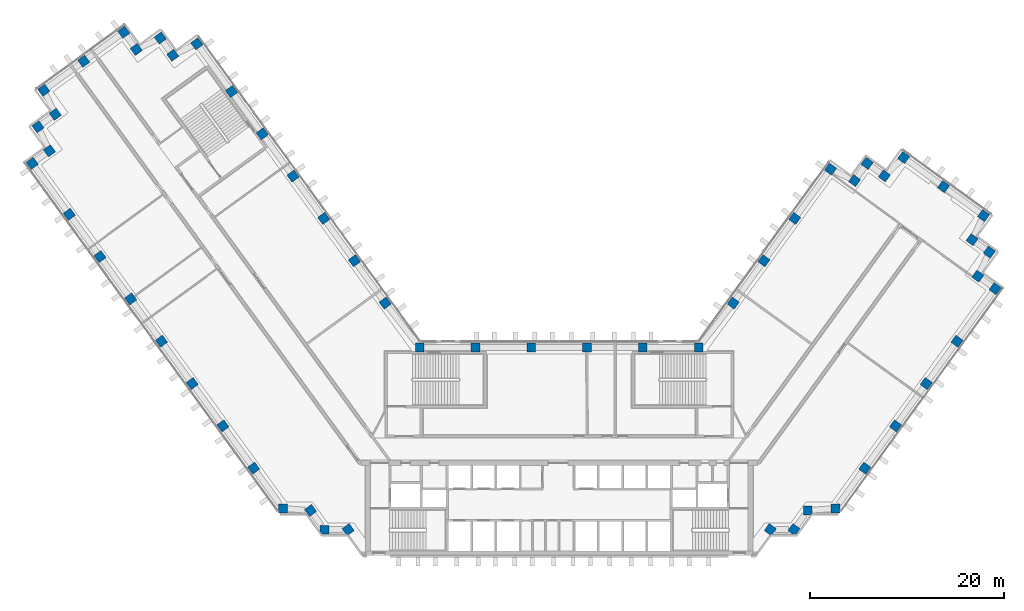
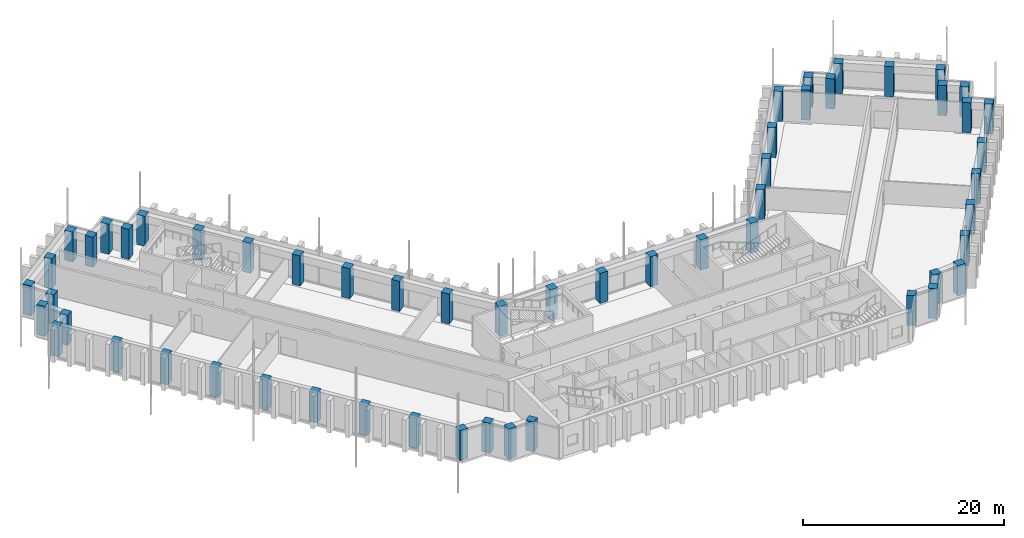
# One storey, part 1 of 16: 56 columns.
"""IFC4 building model written with IfcOpenShell, lengths in metres."""

from ifc_helpers import new_model, si_unit, direction, frame, origin, origin_2d, place, context, subcontext, project, spatial, rectangle, extrude, material, material_profile, profile_set, type_object, element, save


model = new_model("IFC4")

# Units and contexts
model_context = context("Model", 3, precision=1e-05, world=origin(), true_north=direction((0.0, 1.0)))
body_context = subcontext(model_context, "Body", "Model", "MODEL_VIEW")
ifc_project = project(units=[si_unit("LENGTHUNIT", "METRE"), si_unit("AREAUNIT", "SQUARE_METRE"), si_unit("VOLUMEUNIT", "CUBIC_METRE"), si_unit("PLANEANGLEUNIT", "RADIAN"), si_unit("MASSUNIT", "GRAM", prefix="KILO")], contexts=[model_context])

# Site, building, storey
site_placement = place(None, origin())
site = spatial("IfcSite", under=ifc_project, at=site_placement, CompositionType="ELEMENT")
building_placement = place(site_placement, origin())
building = spatial("IfcBuilding", under=site, at=building_placement, Name="Quipu Civic Tower", CompositionType="ELEMENT")
storey_placement = place(building_placement, frame((0.0, 0.0, 125.0)))
storey = spatial("IfcBuildingStorey", under=building, at=storey_placement, Name="L29", CompositionType="ELEMENT", Elevation=125.0)

# Columns
ifc_material = material(Name="Concrete C60/75", Category="concrete")
ifc_material_profile = material_profile(ifc_material, rectangle(XDim=0.89990234375, YDim=0.89990234375, at=origin_2d()), Name="RC900x900")
ifc_profile_set = profile_set([ifc_material_profile], Name="Concrete C60/75")
column_type = type_object("IfcColumnType", Name="Perimeter column RC 900x900 C60/75", PredefinedType="COLUMN", material=ifc_profile_set)
for number, where, z_axis, x_axis, name in (
    (1, (-17.9736328125, 15.074951171875, 0.0), (0.0, 0.0, 1.0), (-0.587785252292, 0.809016994375, 0.0), "Column L29 W-IN-01"),
    (2, (-21.1474609375, 19.44384765625, 0.0), (0.0, 0.0, 1.0), (-0.587785252292, 0.809016994375, 0.0), "Column L29 W-IN-02"),
    (3, (-24.3212890625, 23.8125, 0.0), (0.0, 0.0, 1.0), (-0.587785252292, 0.809016994375, 0.0), "Column L29 W-IN-03"),
    (4, (-27.4951171875, 28.181396484375, 0.0), (0.0, 0.0, 1.0), (-0.587785252292, 0.809016994375, 0.0), "Column L29 W-IN-04"),
    (5, (-30.6689453125, 32.55029296875, 0.0), (0.0, 0.0, 1.0), (-0.587785252292, 0.809016994375, 0.0), "Column L29 W-IN-05"),
    (6, (-33.843017578125, 36.919189453125, 0.0), (0.0, 0.0, 1.0), (-0.587785252292, 0.809016994375, 0.0), "Column L29 W-IN-06"),
    (7, (-37.425048828125, 41.85009765625, 0.0), (0.0, 0.0, 1.0), (-0.587785252292, 0.809016994375, 0.0), "Column L29 T-Wi.0-W50"),
    (8, (-39.905517578125, 40.666015625, 0.0), (0.0, 0.0, 1.0), (-0.587785252292, 0.809016994375, 0.0), "Column L29 T-Wi.1-W50"),
    (9, (-41.199951171875, 42.445068359375, 0.0), (0.0, 0.0, 1.0), (-0.587785252292, 0.809016994375, 0.0), "Column L29 T-Wi.2-W50"),
    (10, (-43.674560546875, 41.264892578125, 0.0), (0.0, 0.0, 1.0), (-0.809016994375, -0.587785252292, 0.0), "Column L29 T-Wi.3-W50"),
    (11, (-44.969970703125, 43.044921875, 0.0), (0.0, 0.0, 1.0), (-0.809016994375, -0.587785252292, 0.0), "Column L29 T-Wi.4-W50"),
    (12, (-49.095703125, 40.046875, 0.0), (0.0, 0.0, 1.0), (-0.809016994375, -0.587785252292, 0.0), "Column L29 TIP-W-01-W50"),
    (13, (-53.219970703125, 37.050048828125, 0.0), (0.0, 0.0, 1.0), (0.587785252292, -0.809016994375, 0.0), "Column L29 T-Wo.0-W50"),
    (14, (-52.038818359375, 34.571044921875, 0.0), (0.0, 0.0, 1.0), (-0.809016994375, -0.587785252292, 0.0), "Column L29 T-Wo.1-W50"),
    (15, (-53.820068359375, 33.27490234375, 0.0), (0.0, 0.0, 1.0), (0.587785252292, -0.809016994375, 0.0), "Column L29 T-Wo.2-W50"),
    (16, (-52.635986328125, 30.799560546875, 0.0), (0.0, 0.0, 1.0), (-0.809016994375, -0.587785252292, 0.0), "Column L29 T-Wo.3-W50"),
    (17, (-54.4150390625, 29.5048828125, 0.0), (0.0, 0.0, 1.0), (0.587785252292, -0.809016994375, 0.0), "Column L29 T-Wo.4-W50"),
    (18, (-50.59228515625, 24.243408203125, 0.0), (0.0, 0.0, 1.0), (0.587785252292, -0.809016994375, 0.0), "Column L29 W-OUT-07"),
    (19, (-47.41845703125, 19.874755859375, 0.0), (0.0, 0.0, 1.0), (0.587785252292, -0.809016994375, 0.0), "Column L29 W-OUT-06"),
    (20, (-44.244384765625, 15.506103515625, 0.0), (0.0, 0.0, 1.0), (0.587785252292, -0.809016994375, 0.0), "Column L29 W-OUT-05"),
    (21, (-41.0703125, 11.137451171875, 0.0), (0.0, 0.0, 1.0), (0.587785252292, -0.809016994375, 0.0), "Column L29 W-OUT-04"),
    (22, (-37.896240234375, 6.768798828125, 0.0), (0.0, 0.0, 1.0), (0.587785252292, -0.809016994375, 0.0), "Column L29 W-OUT-03"),
    (23, (-34.722412109375, 2.39990234375, 0.0), (0.0, 0.0, 1.0), (0.587785252292, -0.809016994375, 0.0), "Column L29 W-OUT-02"),
    (24, (-31.54833984375, -1.96875, 0.0), (0.0, 0.0, 1.0), (0.587785252292, -0.809016994375, 0.0), "Column L29 W-OUT-01"),
    (25, (-28.52490234375, -6.1298828125, 0.0), (0.0, 0.0, 1.0), (1.0, 0.0, 0.0), "Column L29 J-Wo.0"),
    (26, (-25.67431640625, -6.3369140625, 0.0), (0.0, 0.0, 1.0), (0.587785252292, -0.809016994375, 0.0), "Column L29 J-Wo.1"),
    (27, (-24.235107421875, -8.31494140625, 0.0), (0.0, 0.0, 1.0), (1.0, 0.0, 0.0), "Column L29 J-Wo.2"),
    (28, (-21.791748046875, -8.31494140625, 0.0), (0.0, 0.0, 1.0), (0.587785252292, -0.809016994375, 0.0), "Column L29 J-Wo.3"),
    (29, (21.791748046875, -8.31494140625, 0.0), (0.0, 0.0, 1.0), (0.587785252292, 0.809016994375, 0.0), "Column L29 J-Eo.1"),
    (30, (24.235107421875, -8.31494140625, 0.0), (0.0, 0.0, 1.0), (0.587785252292, 0.809016994375, 0.0), "Column L29 J-Eo.2"),
    (31, (25.67431640625, -6.3369140625, 0.0), (0.0, 0.0, 1.0), (1.0, 0.0, 0.0), "Column L29 J-Eo.3"),
    (32, (28.52490234375, -6.1298828125, 0.0), (0.0, 0.0, 1.0), (1.0, 0.0, 0.0), "Column L29 J-Eo.4"),
    (33, (31.54833984375, -1.96875, 0.0), (0.0, 0.0, 1.0), (0.587785252292, 0.809016994375, 0.0), "Column L29 E-OUT-01"),
    (34, (34.722412109375, 2.39990234375, 0.0), (0.0, 0.0, 1.0), (0.587785252292, 0.809016994375, 0.0), "Column L29 E-OUT-02"),
    (35, (37.896240234375, 6.768798828125, 0.0), (0.0, 0.0, 1.0), (0.587785252292, 0.809016994375, 0.0), "Column L29 E-OUT-03"),
    (36, (41.0703125, 11.137451171875, 0.0), (0.0, 0.0, 1.0), (0.587785252292, 0.809016994375, 0.0), "Column L29 E-OUT-04"),
    (37, (45.010009765625, 16.56005859375, 0.0), (0.0, 0.0, 1.0), (0.587785252292, 0.809016994375, 0.0), "Column L29 T-Eo.0-E34"),
    (38, (43.23095703125, 17.8544921875, 0.0), (0.0, 0.0, 1.0), (0.587785252292, 0.809016994375, 0.0), "Column L29 T-Eo.1-E34"),
    (39, (44.4150390625, 20.3349609375, 0.0), (0.0, 0.0, 1.0), (0.587785252292, 0.809016994375, 0.0), "Column L29 T-Eo.2-E34"),
    (40, (42.635009765625, 21.626220703125, 0.0), (0.0, 0.0, 1.0), (-0.809016994375, 0.587785252292, 0.0), "Column L29 T-Eo.3-E34"),
    (41, (43.81494140625, 24.10498046875, 0.0), (0.0, 0.0, 1.0), (-0.809016994375, 0.587785252292, 0.0), "Column L29 T-Eo.4-E34"),
    (42, (39.690673828125, 27.10205078125, 0.0), (0.0, 0.0, 1.0), (-0.809016994375, 0.587785252292, 0.0), "Column L29 TIP-E-01-E34"),
    (43, (35.56494140625, 30.10009765625, 0.0), (0.0, 0.0, 1.0), (-0.587785252292, -0.809016994375, 0.0), "Column L29 T-Ei.0-E34"),
    (44, (33.573974609375, 28.20947265625, 0.0), (0.0, 0.0, 1.0), (-0.809016994375, 0.587785252292, 0.0), "Column L29 T-Ei.1-E34"),
    (45, (31.794921875, 29.5, 0.0), (0.0, 0.0, 1.0), (-0.587785252292, -0.809016994375, 0.0), "Column L29 T-Ei.2-E34"),
    (46, (30.498779296875, 27.72265625, 0.0), (0.0, 0.0, 1.0), (-0.809016994375, 0.587785252292, 0.0), "Column L29 T-Ei.3-E34"),
    (47, (28.02001953125, 28.905029296875, 0.0), (0.0, 0.0, 1.0), (-0.809016994375, 0.587785252292, 0.0), "Column L29 T-Ei.4-E34"),
    (48, (24.3212890625, 23.8125, 0.0), (0.0, 0.0, 1.0), (-0.587785252292, -0.809016994375, 0.0), "Column L29 E-IN-03"),
    (49, (21.1474609375, 19.44384765625, 0.0), (0.0, 0.0, 1.0), (-0.587785252292, -0.809016994375, 0.0), "Column L29 E-IN-02"),
    (50, (17.9736328125, 15.074951171875, 0.0), (0.0, 0.0, 1.0), (-0.587785252292, -0.809016994375, 0.0), "Column L29 E-IN-01"),
    (51, (14.395263671875, 10.5, 0.0), (0.0, 0.0, 1.0), (-1.0, 0.0, 0.0), "Column L29 J-Ei.0"),
    (52, (8.63720703125, 10.5, 0.0), (0.0, 0.0, 1.0), (-1.0, 0.0, 0.0), "Column L29 FRONT-01"),
    (53, (2.87890625, 10.5, 0.0), (0.0, 0.0, 1.0), (-1.0, 0.0, 0.0), "Column L29 FRONT-02"),
    (54, (-2.87890625, 10.5, 0.0), (0.0, 0.0, 1.0), (-1.0, 0.0, 0.0), "Column L29 FRONT-03"),
    (55, (-8.63720703125, 10.5, 0.0), (0.0, 0.0, 1.0), (-1.0, 0.0, 0.0), "Column L29 FRONT-04"),
    (56, (-14.395263671875, 10.5, 0.0), (0.0, 0.0, 1.0), (-1.0, 0.0, 0.0), "Column L29 J-Wi.0"),
):
    element("IfcColumn", number, at=place(storey_placement, frame(where, z_axis=z_axis, x_axis=x_axis)), inside=storey, type_object=column_type, Name=name, PredefinedType="COLUMN", context=body_context, shape_type="SweptSolid", body=[
        extrude(rectangle(XDim=0.89990234375, YDim=0.89990234375, at=origin_2d()), origin(), (0.0, 0.0, 1.0), 3.64990234375),
    ])

save(model, "model.ifc")
